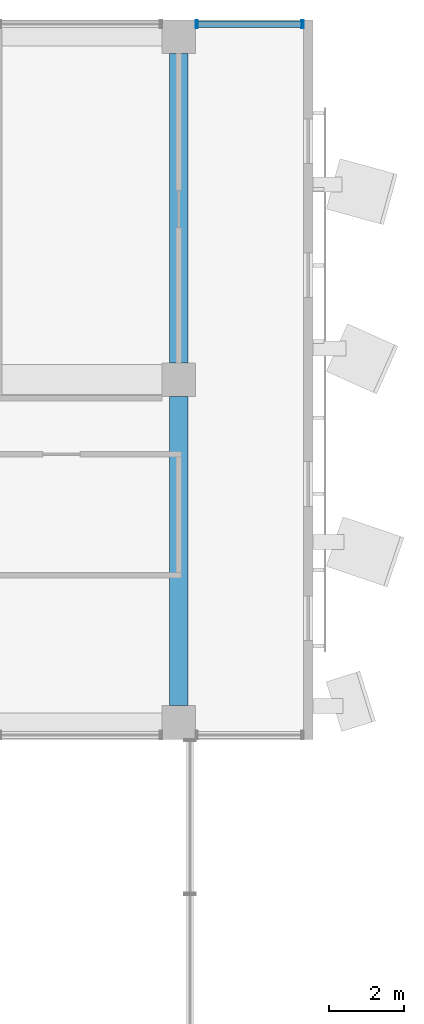
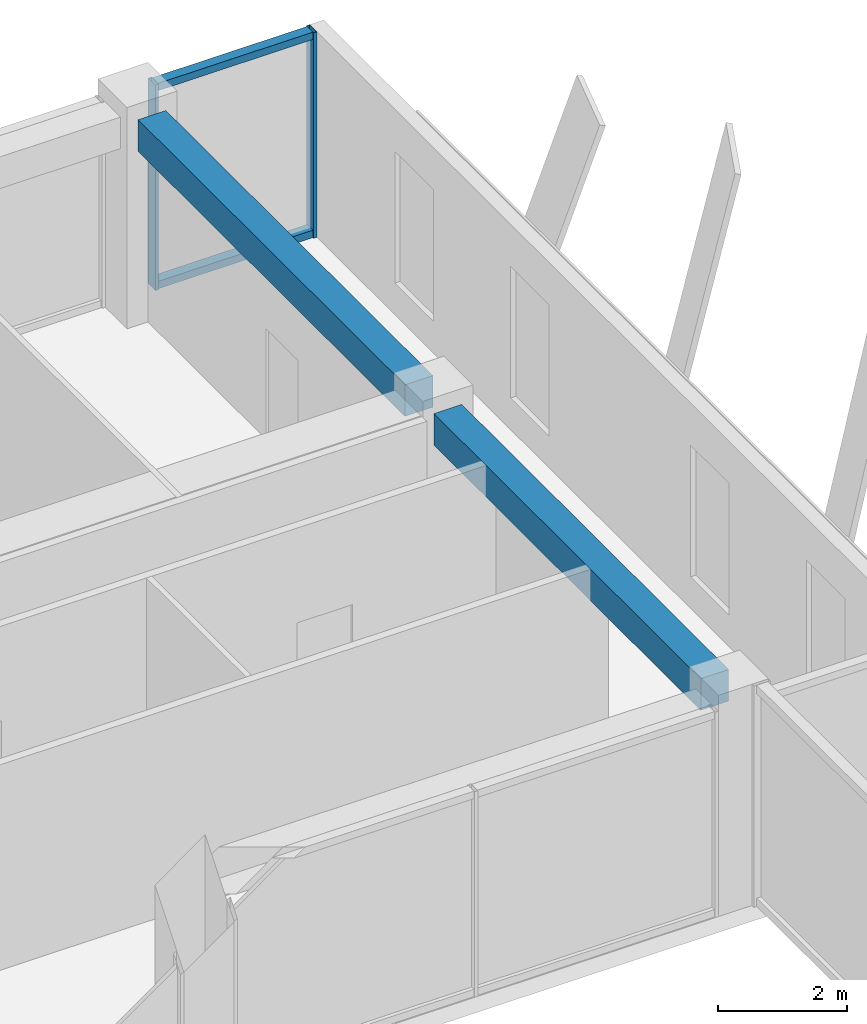
# One storey, part 26 of 38: 4 members, 2 beams, 1 element without a shape of its own.
"""IFC4 building model written with IfcOpenShell, lengths in metres."""

from ifc_helpers import new_model, si_unit, direction, frame, origin, origin_2d, place, context, subcontext, project, spatial, rectangle, hollow_rectangle, extrude, material, layer, layer_set, material_profile, profile_set, type_object, element, aggregate, save


model = new_model("IFC4")

# Units and contexts
model_context = context("Model", 3, precision=1e-05, world=origin(), true_north=direction((0.0, 1.0)))
body_context = subcontext(model_context, "Body", "Model", "MODEL_VIEW")
ifc_project = project(units=[si_unit("LENGTHUNIT", "METRE"), si_unit("AREAUNIT", "SQUARE_METRE"), si_unit("VOLUMEUNIT", "CUBIC_METRE"), si_unit("PLANEANGLEUNIT", "RADIAN"), si_unit("MASSUNIT", "GRAM", prefix="KILO")], contexts=[model_context])

# Site, building, storey
site_placement = place(None, origin())
site = spatial("IfcSite", under=ifc_project, at=site_placement, CompositionType="ELEMENT")
building_placement = place(site_placement, origin())
building = spatial("IfcBuilding", under=site, at=building_placement, Name="Nzadi Deep Aquarium and Research Tower", CompositionType="ELEMENT")
storey_placement = place(building_placement, frame((0.0, 0.0, 65.5)))
storey = spatial("IfcBuildingStorey", under=building, at=storey_placement, Name="L13", CompositionType="ELEMENT", Elevation=65.5)

# Curtain wall, members
ifc_material_1 = material(Name="Aluminium unitised frame deep", Category="aluminium")
ifc_layer = layer(ifc_material_1, 0.22509765625)
ifc_layer_set = layer_set([ifc_layer], Name="Aluminium unitised frame deep")
curtain_wall_type = type_object("IfcCurtainWallType", Name="Curtain wall Unitised Deep 225", PredefinedType="NOTDEFINED", material=ifc_layer_set)
curtain_wall_placement = place(storey_placement, origin())
curtain_wall = element("IfcCurtainWall", 1, at=curtain_wall_placement, inside=storey, type_object=curtain_wall_type, Name="Unitised curtain wall blade B north L13", PredefinedType="NOTDEFINED")
ifc_material_2 = material(Name="Aluminium unitised frame deep", Category="aluminium")
ifc_material_profile_1 = material_profile(ifc_material_2, hollow_rectangle(XDim=0.22509765625, YDim=0.06005859375, WallThickness=0.0048828125, at=origin_2d()))
ifc_profile_set_1 = profile_set([ifc_material_profile_1], Name="Aluminium unitised frame deep")
member_type_1 = type_object("IfcMemberType", Name="Mullion 60x225 Unitised Deep", PredefinedType="MULLION", material=ifc_profile_set_1)
member_1_placement = place(storey_placement, frame((48.47998046875, 46.33740234375, 0.0), z_axis=(0.0, 0.0, 1.0), x_axis=(0.0, 1.0, 0.0)))
member_1 = element("IfcMember", 2, at=member_1_placement, type_object=member_type_1, Name="CW175 mullion 1", PredefinedType="MULLION", context=body_context, shape_type="SweptSolid", body=[
    extrude(hollow_rectangle(XDim=0.22509765625, YDim=0.06005859375, WallThickness=0.0048828125, at=origin_2d()), origin(), (0.0, 0.0, 1.0), 3.89990234375),
])
member_2_placement = place(storey_placement, frame((51.320068359375, 46.33740234375, 0.0), z_axis=(0.0, 0.0, 1.0), x_axis=(0.0, 1.0, 0.0)))
member_2 = element("IfcMember", 3, at=member_2_placement, type_object=member_type_1, Name="CW175 mullion 2", PredefinedType="MULLION", context=body_context, shape_type="SweptSolid", body=[
    extrude(hollow_rectangle(XDim=0.22509765625, YDim=0.06005859375, WallThickness=0.0048828125, at=origin_2d()), origin(), (0.0, 0.0, 1.0), 3.89990234375),
])

# Beams
ifc_material_3 = material(Name="Concrete C35/45", Category="concrete")
ifc_material_profile_2 = material_profile(ifc_material_3, rectangle(XDim=0.5, YDim=0.60009765625, at=origin_2d()))
ifc_profile_set_2 = profile_set([ifc_material_profile_2], Name="Concrete C35/45")
beam_type = type_object("IfcBeamType", Name="RC 500x600", PredefinedType="BEAM", material=ifc_profile_set_2)
for number, where, z_axis, x_axis, name in (
    (4, (48.0, 28.050048828125, 3.60009765625), (0.0, 1.0, 0.0), (-1.0, 0.0, 0.0), "B-Z1-L13-CF-1-4"),
    (5, (48.0, 37.25, 3.60009765625), (0.0, 1.0, 0.0), (-1.0, 0.0, 0.0), "B-Z1-L13-CF-2-4"),
):
    element("IfcBeam", number, at=place(storey_placement, frame(where, z_axis=z_axis, x_axis=x_axis)), inside=storey, type_object=beam_type, Name=name, PredefinedType="BEAM", context=body_context, shape_type="SweptSolid", body=[
        extrude(rectangle(XDim=0.5, YDim=0.60009765625, at=origin_2d()), origin(), (0.0, 0.0, 1.0), 8.300048828125),
    ])

# Member
ifc_material_4 = material(Name="Aluminium unitised frame deep", Category="aluminium")
ifc_material_profile_3 = material_profile(ifc_material_4, hollow_rectangle(XDim=0.179931640625, YDim=0.139892578125, WallThickness=0.0048828125, at=origin_2d()))
ifc_profile_set_3 = profile_set([ifc_material_profile_3], Name="Aluminium unitised frame deep")
member_type_2 = type_object("IfcMemberType", Name="Transom 140x180 Unitised Deep", PredefinedType="MULLION", material=ifc_profile_set_3)
member_3_placement = place(storey_placement, frame((48.510009765625, 46.33740234375, 0.070068359375), z_axis=(1.0, 0.0, 0.0), x_axis=(0.0, 1.0, 0.0)))
member_3 = element("IfcMember", 6, at=member_3_placement, type_object=member_type_2, Name="CW175 transom 1.1", PredefinedType="MULLION", context=body_context, shape_type="SweptSolid", body=[
    extrude(hollow_rectangle(XDim=0.179931640625, YDim=0.139892578125, WallThickness=0.0048828125, at=origin_2d()), origin(), (0.0, 0.0, 1.0), 2.780029296875),
])

member_4_placement = place(storey_placement, frame((48.510009765625, 46.33740234375, 3.830078125), z_axis=(1.0, 0.0, 0.0), x_axis=(0.0, 1.0, 0.0)))
member_4 = element("IfcMember", 7, at=member_4_placement, type_object=member_type_2, Name="CW175 transom 1.2", PredefinedType="MULLION", context=body_context, shape_type="SweptSolid", body=[
    extrude(hollow_rectangle(XDim=0.179931640625, YDim=0.139892578125, WallThickness=0.0048828125, at=origin_2d()), origin(), (0.0, 0.0, 1.0), 2.780029296875),
])

aggregate(curtain_wall, [member_1, member_2, member_3, member_4])

save(model, "model.ifc")
